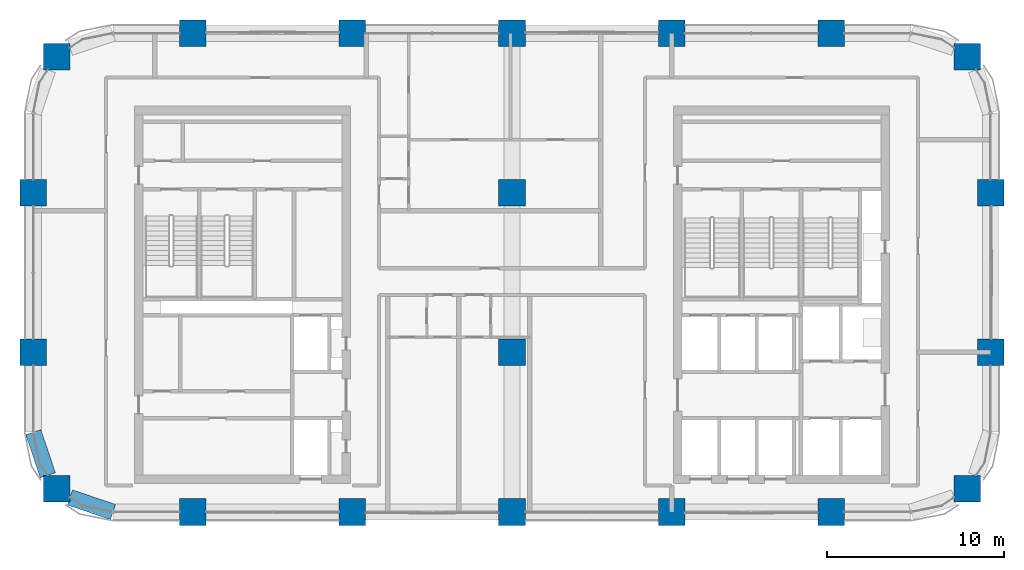
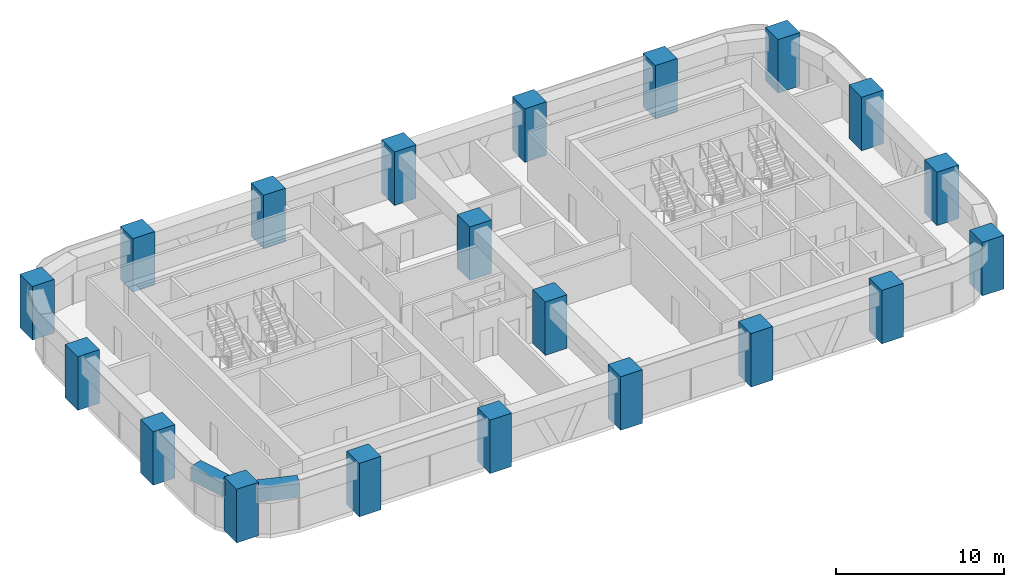
# One storey, part 1 of 14: 20 columns, 2 beams.
"""IFC4 building model written with IfcOpenShell, lengths in metres."""

from ifc_helpers import new_model, si_unit, direction, frame, origin, origin_2d, place, context, subcontext, project, spatial, rectangle, extrude, material, material_profile, profile_set, type_object, element, save


model = new_model("IFC4")

# Units and contexts
model_context = context("Model", 3, precision=1e-05, world=origin(), true_north=direction((0.0, 1.0)))
body_context = subcontext(model_context, "Body", "Model", "MODEL_VIEW")
ifc_project = project(units=[si_unit("LENGTHUNIT", "METRE"), si_unit("AREAUNIT", "SQUARE_METRE"), si_unit("VOLUMEUNIT", "CUBIC_METRE"), si_unit("PLANEANGLEUNIT", "RADIAN"), si_unit("MASSUNIT", "GRAM", prefix="KILO")], contexts=[model_context])

# Site, building, storey
site_placement = place(None, origin())
site = spatial("IfcSite", under=ifc_project, at=site_placement, CompositionType="ELEMENT")
building_placement = place(site_placement, origin())
building = spatial("IfcBuilding", under=site, at=building_placement, Name="Tessera Arch", CompositionType="ELEMENT")
storey_placement = place(building_placement, frame((0.0, 0.0, 173.89990234375)))
storey = spatial("IfcBuildingStorey", under=building, at=storey_placement, Name="L41", CompositionType="ELEMENT", Elevation=173.89990234375)

# Columns
ifc_material_1 = material(Name="Concrete C70/85", Category="concrete")
ifc_material_profile_1 = material_profile(ifc_material_1, rectangle(XDim=1.5, YDim=1.5, at=origin_2d()), Name="RC column 1500 x 1500 Concrete C70/85")
ifc_profile_set_1 = profile_set([ifc_material_profile_1], Name="Concrete C70/85")
column_type = type_object("IfcColumnType", Name="RC column 1500 x 1500 Concrete C70/85", PredefinedType="COLUMN", material=ifc_profile_set_1)
for number, where, z_axis, x_axis, name in (
    (1, (1.318115234375, 28.318115234375, 0.0), (0.0, 0.0, 1.0), (1.0, 0.0, 0.0), "Column C1D L41"),
    (2, (0.0, 36.0, 0.0), (0.0, 0.0, 1.0), (1.0, 0.0, 0.0), "Column C1E L41"),
    (3, (0.0, 45.0, 0.0), (0.0, 0.0, 1.0), (1.0, 0.0, 0.0), "Column C1F L41"),
    (4, (1.318115234375, 52.681884765625, 0.0), (0.0, 0.0, 1.0), (1.0, 0.0, 0.0), "Column C1G L41"),
    (5, (9.0, 27.0, 0.0), (0.0, 0.0, 1.0), (1.0, 0.0, 0.0), "Column C2D L41"),
    (6, (9.0, 54.0, 0.0), (0.0, 0.0, 1.0), (1.0, 0.0, 0.0), "Column C2G L41"),
    (7, (18.0, 27.0, 0.0), (0.0, 0.0, 1.0), (1.0, 0.0, 0.0), "Column C3D L41"),
    (8, (18.0, 54.0, 0.0), (0.0, 0.0, 1.0), (1.0, 0.0, 0.0), "Column C3G L41"),
    (9, (27.0, 27.0, 0.0), (0.0, 0.0, 1.0), (1.0, 0.0, 0.0), "Column C4D L41"),
    (10, (27.0, 36.0, 0.0), (0.0, 0.0, 1.0), (1.0, 0.0, 0.0), "Column C4E L41"),
    (11, (27.0, 45.0, 0.0), (0.0, 0.0, 1.0), (1.0, 0.0, 0.0), "Column C4F L41"),
    (12, (27.0, 54.0, 0.0), (0.0, 0.0, 1.0), (1.0, 0.0, 0.0), "Column C4G L41"),
    (13, (36.0, 27.0, 0.0), (0.0, 0.0, 1.0), (1.0, 0.0, 0.0), "Column C5D L41"),
    (14, (36.0, 54.0, 0.0), (0.0, 0.0, 1.0), (1.0, 0.0, 0.0), "Column C5G L41"),
    (15, (45.0, 27.0, 0.0), (0.0, 0.0, 1.0), (1.0, 0.0, 0.0), "Column C6D L41"),
    (16, (45.0, 54.0, 0.0), (0.0, 0.0, 1.0), (1.0, 0.0, 0.0), "Column C6G L41"),
    (17, (52.681884765625, 28.318115234375, 0.0), (0.0, 0.0, 1.0), (1.0, 0.0, 0.0), "Column C7D L41"),
    (18, (54.0, 36.0, 0.0), (0.0, 0.0, 1.0), (1.0, 0.0, 0.0), "Column C7E L41"),
    (19, (54.0, 45.0, 0.0), (0.0, 0.0, 1.0), (1.0, 0.0, 0.0), "Column C7F L41"),
    (20, (52.681884765625, 52.681884765625, 0.0), (0.0, 0.0, 1.0), (1.0, 0.0, 0.0), "Column C7G L41"),
):
    element("IfcColumn", number, at=place(storey_placement, frame(where, z_axis=z_axis, x_axis=x_axis)), inside=storey, type_object=column_type, Name=name, PredefinedType="COLUMN", context=body_context, shape_type="SweptSolid", body=[
        extrude(rectangle(XDim=1.5, YDim=1.5, at=origin_2d()), origin(), (0.0, 0.0, 1.0), 3.900146484375),
    ])

# Beams
ifc_material_2 = material(Name="Concrete C70/85", Category="concrete")
ifc_material_profile_2 = material_profile(ifc_material_2, rectangle(XDim=0.89990234375, YDim=1.0, at=origin_2d()), Name="RC spandrel beam 900 x 1000 Concrete C70/85")
ifc_profile_set_2 = profile_set([ifc_material_profile_2], Name="Concrete C70/85")
beam_type = type_object("IfcBeamType", Name="RC spandrel beam 900 x 1000 Concrete C70/85", PredefinedType="BEAM", material=ifc_profile_set_2)
for number, where, z_axis, x_axis, name in (
    (21, (0.0, 31.5, 3.10009765625), (0.31842525032, -0.947947973234, 0.0), (0.947947973234, 0.31842525032, 0.0), "Spandrel beam L41 W0.27/2.2"),
    (22, (2.068115234375, 27.81689453125, 3.10009765625), (0.947947973234, -0.31842525032, 0.0), (0.31842525032, 0.947947973234, 0.0), "Spandrel beam L41 S27.0/0.1"),
):
    element("IfcBeam", number, at=place(storey_placement, frame(where, z_axis=z_axis, x_axis=x_axis)), inside=storey, type_object=beam_type, Name=name, PredefinedType="BEAM", context=body_context, shape_type="SweptSolid", body=[
        extrude(rectangle(XDim=0.89990234375, YDim=1.0, at=origin_2d()), origin(), (0.0, 0.0, 1.0), 2.5654296875),
    ])

save(model, "model.ifc")
